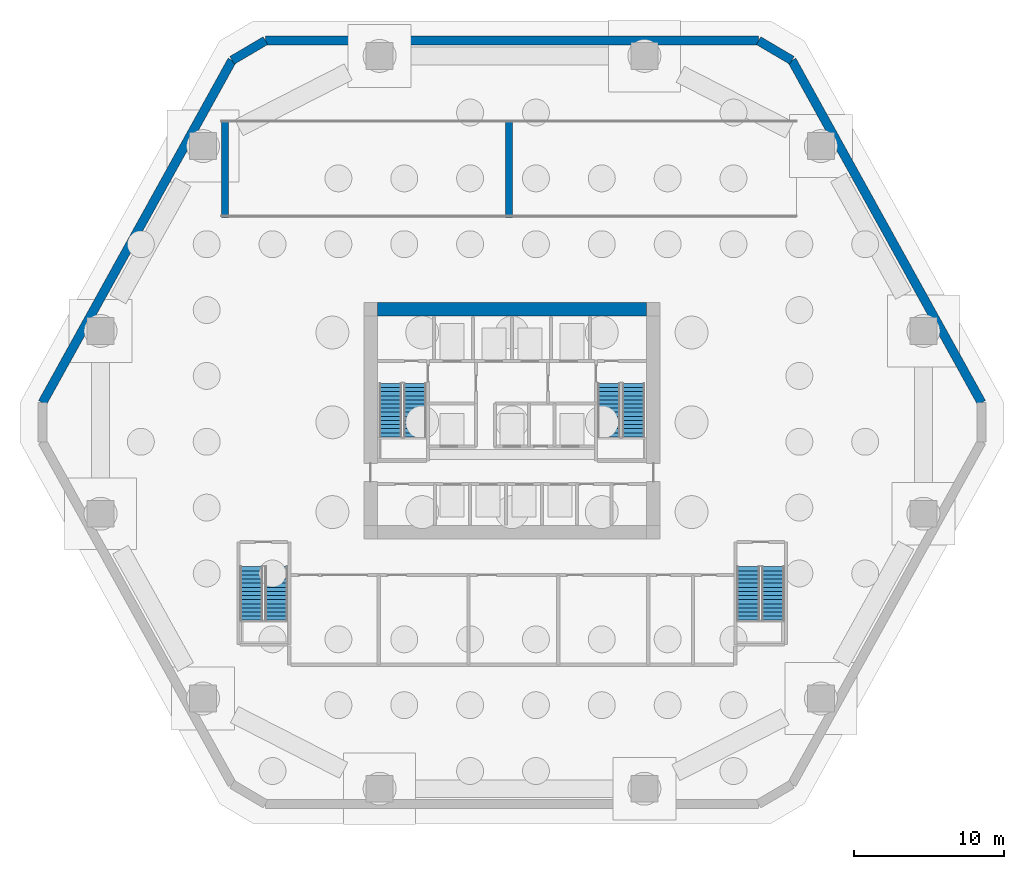
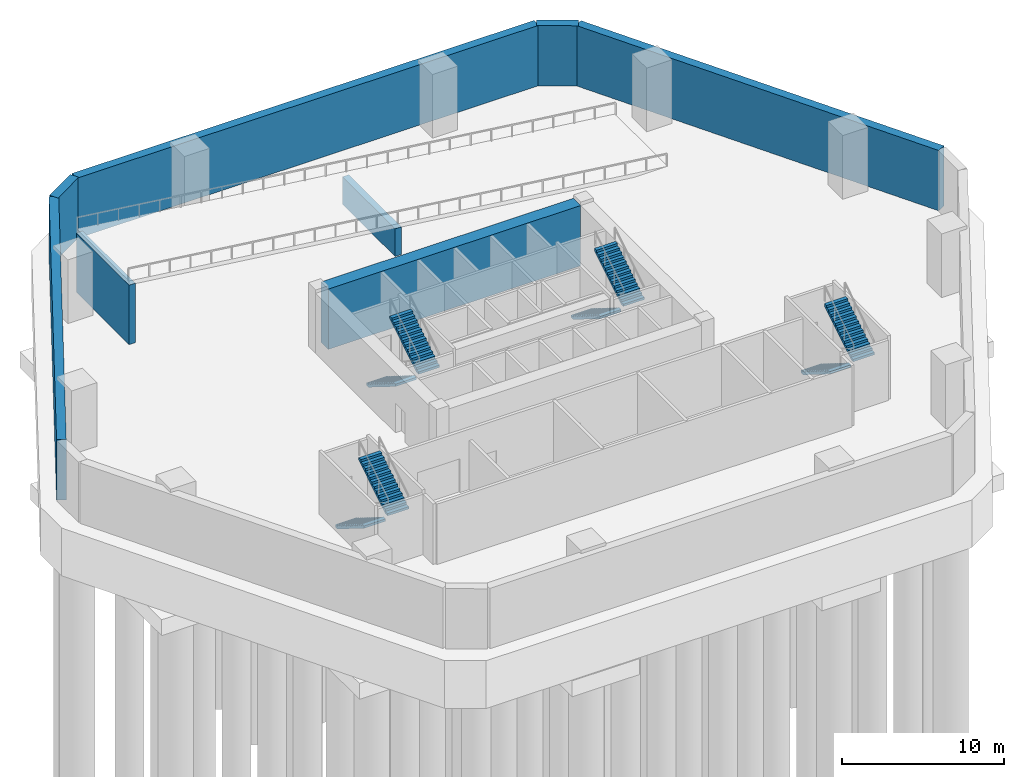
# One storey, part 5 of 9: 8 stair flights, 8 walls, 4 elements without a shape of their own.
"""IFC4 building model written with IfcOpenShell, lengths in metres."""

from ifc_helpers import new_model, si_unit, direction, frame, frame_2d, origin, place, context, subcontext, project, spatial, polyline, rectangle, outline, extrude, material, layer, layer_set, type_object, element, aggregate, save


model = new_model("IFC4")

# Units and contexts
model_context = context("Model", 3, precision=1e-05, world=origin(), true_north=direction((0.0, 1.0)))
body_context = subcontext(model_context, "Body", "Model", "MODEL_VIEW")
ifc_project = project(units=[si_unit("LENGTHUNIT", "METRE"), si_unit("AREAUNIT", "SQUARE_METRE"), si_unit("VOLUMEUNIT", "CUBIC_METRE"), si_unit("PLANEANGLEUNIT", "RADIAN"), si_unit("MASSUNIT", "GRAM", prefix="KILO")], contexts=[model_context])

# Site, building, storey
site_placement = place(None, origin())
site = spatial("IfcSite", under=ifc_project, at=site_placement, CompositionType="ELEMENT")
building_placement = place(site_placement, origin())
building = spatial("IfcBuilding", under=site, at=building_placement, Name="Cinnabar Lancet Tower", CompositionType="ELEMENT")
storey_placement = place(building_placement, frame((0.0, 0.0, -4.800048828125)))
storey = spatial("IfcBuildingStorey", under=building, at=storey_placement, Name="B1", CompositionType="ELEMENT", Elevation=-4.800048828125)

# Walls
ifc_material_1 = material(Name="Concrete C50/60", Category="concrete")
ifc_layer_1 = layer(ifc_material_1, 0.449951171875)
ifc_layer_set_1 = layer_set([ifc_layer_1], Name="Concrete C50/60")
wall_type_1 = type_object("IfcWallType", Name="STR-WL-CORE-450", PredefinedType="SHEAR", material=ifc_layer_set_1)
wall_1_placement = place(storey_placement, frame((13.22509765625, 39.5, 0.0), z_axis=(0.0, 0.0, 1.0), x_axis=(0.0, 1.0, 0.0)))
element("IfcWall", 1, at=wall_1_placement, inside=storey, type_object=wall_type_1, Name="B1 Vehicle Ramp Top Transition Support Wall", PredefinedType="SHEAR", context=body_context, shape_type="SweptSolid", body=[
    extrude(rectangle(XDim=6.5, YDim=0.449951171875, at=frame_2d((3.25, 0.0))), origin(), (0.0, 0.0, 1.0), 4.47998046875),
])
wall_2_placement = place(storey_placement, frame((32.199951171875, 39.5, 0.0), z_axis=(0.0, 0.0, 1.0), x_axis=(0.0, 1.0, 0.0)))
element("IfcWall", 2, at=wall_2_placement, inside=storey, type_object=wall_type_1, Name="B1 Vehicle Ramp Mid-Span Support Wall", PredefinedType="SHEAR", context=body_context, shape_type="SweptSolid", body=[
    extrude(rectangle(XDim=6.5, YDim=0.449951171875, at=frame_2d((3.25, 0.0))), origin(), (0.0, 0.0, 1.0), 2.080078125),
])
ifc_material_2 = material(Name="Concrete C80/95", Category="concrete")
ifc_layer_2 = layer(ifc_material_2, 0.89990234375)
ifc_layer_set_2 = layer_set([ifc_layer_2], Name="Concrete C80/95")
wall_type_2 = type_object("IfcWallType", Name="STR-WL-CORE-900", PredefinedType="SHEAR", material=ifc_layer_set_2)
wall_3_placement = place(storey_placement, frame((23.39990234375, 33.35009765625, 0.0), z_axis=(0.0, 0.0, 1.0), x_axis=(1.0, 0.0, 0.0)))
element("IfcWall", 3, at=wall_3_placement, inside=storey, type_object=wall_type_2, Name="B1 Core Shear Wall N", PredefinedType="SHEAR", context=body_context, shape_type="SweptSolid", body=[
    extrude(rectangle(XDim=18.0, YDim=0.89990234375, at=frame_2d((9.0, 0.0))), origin(), (0.0, 0.0, 1.0), 4.550048828125),
])
ifc_material_3 = material(Name="Concrete C50/60", Category="concrete")
ifc_layer_3 = layer(ifc_material_3, 0.60009765625)
ifc_layer_set_3 = layer_set([ifc_layer_3], Name="Concrete C50/60")
wall_type_3 = type_object("IfcWallType", Name="STR-WL-RET-600", PredefinedType="USERDEFINED", material=ifc_layer_set_3)
wall_4_placement = place(storey_placement, frame((63.77294921875, 27.112060546875, 0.0), z_axis=(0.0, 0.0, 1.0), x_axis=(-0.484504224603, 0.874788921021, 0.0)))
element("IfcWall", 4, at=wall_4_placement, inside=storey, type_object=wall_type_3, Name="Basement B1 Waterproof Retaining Wall 6", ObjectType="RETAININGWALL", PredefinedType="USERDEFINED", context=body_context, shape_type="SweptSolid", body=[
    extrude(rectangle(XDim=26.150390625, YDim=0.60009765625, at=frame_2d((13.0751953125, 0.0))), origin(), (0.0, 0.0, 1.0), 4.550048828125),
])
wall_5_placement = place(storey_placement, frame((51.10302734375, 49.988037109375, 0.0), z_axis=(0.0, 0.0, 1.0), x_axis=(-0.861598949961, 0.507589646689, 0.0)))
element("IfcWall", 5, at=wall_5_placement, inside=storey, type_object=wall_type_3, Name="Basement B1 Waterproof Retaining Wall 7", ObjectType="RETAININGWALL", PredefinedType="USERDEFINED", context=body_context, shape_type="SweptSolid", body=[
    extrude(rectangle(XDim=2.584716796875, YDim=0.60009765625, at=frame_2d((1.29248046875, 0.0))), origin(), (0.0, 0.0, 1.0), 4.550048828125),
])
wall_6_placement = place(storey_placement, frame((48.8759765625, 51.300048828125, 0.0), z_axis=(0.0, 0.0, 1.0), x_axis=(-1.0, 0.0, 0.0)))
element("IfcWall", 6, at=wall_6_placement, inside=storey, type_object=wall_type_3, Name="Basement B1 Waterproof Retaining Wall 8", ObjectType="RETAININGWALL", PredefinedType="USERDEFINED", context=body_context, shape_type="SweptSolid", body=[
    extrude(rectangle(XDim=32.951904296875, YDim=0.60009765625, at=frame_2d((16.47607421875, 0.0))), origin(), (0.0, 0.0, 1.0), 4.550048828125),
])
wall_7_placement = place(storey_placement, frame((15.924072265625, 51.300048828125, 0.0), z_axis=(0.0, 0.0, 1.0), x_axis=(-0.861598949961, -0.507589646689, 0.0)))
element("IfcWall", 7, at=wall_7_placement, inside=storey, type_object=wall_type_3, Name="Basement B1 Waterproof Retaining Wall 9", ObjectType="RETAININGWALL", PredefinedType="USERDEFINED", context=body_context, shape_type="SweptSolid", body=[
    extrude(rectangle(XDim=2.584716796875, YDim=0.60009765625, at=frame_2d((1.29248046875, 0.0))), origin(), (0.0, 0.0, 1.0), 4.550048828125),
])
wall_8_placement = place(storey_placement, frame((13.697021484375, 49.988037109375, 0.0), z_axis=(0.0, 0.0, 1.0), x_axis=(-0.484504224603, -0.874788921021, 0.0)))
element("IfcWall", 8, at=wall_8_placement, inside=storey, type_object=wall_type_3, Name="Basement B1 Waterproof Retaining Wall 10", ObjectType="RETAININGWALL", PredefinedType="USERDEFINED", context=body_context, shape_type="SweptSolid", body=[
    extrude(rectangle(XDim=26.150390625, YDim=0.60009765625, at=frame_2d((13.0751953125, 0.0))), origin(), (0.0, 0.0, 1.0), 4.550048828125),
])

# Stair, stair flights
ifc_material_4 = material(Name="Concrete C40/50", Category="concrete")
stair_type_1 = type_object("IfcStairType", Name="ST-CORE", PredefinedType="HALF_TURN_STAIR", material=ifc_material_4)
stair_1_placement = place(storey_placement, origin())
stair_1 = element("IfcStair", 9, at=stair_1_placement, inside=storey, type_object=stair_type_1, Name="B1 ST-1", PredefinedType="HALF_TURN_STAIR")
ifc_material_5 = material(Name="Concrete C40/50", Category="concrete")
stair_flight_type_1 = type_object("IfcStairFlightType", Name="FLIGHT-CORE", PredefinedType="STRAIGHT", material=ifc_material_5)
stair_flight_1_placement = place(storey_placement, frame((24.27490234375, 28.39990234375, 0.0), z_axis=(0.0, 0.0, 1.0), x_axis=(0.0, -1.0, 0.0)))
stair_flight_1 = element("IfcStairFlight", 10, at=stair_flight_1_placement, type_object=stair_flight_type_1, Name="ST-1 flight 1", NumberOfRisers=14, NumberOfTreads=13, PredefinedType="STRAIGHT", RiserHeight=0.171428571, TreadLength=0.275, context=body_context, shape_type="SweptSolid", body=[
    extrude(outline(polyline([(0.0, 0.0), (0.0, 0.17138671875), (0.27490234375, 0.17138671875), (0.27490234375, 0.3427734375), (0.550048828125, 0.3427734375), (0.550048828125, 0.514404296875), (0.824951171875, 0.514404296875), (0.824951171875, 0.685791015625), (1.10009765625, 0.685791015625), (1.10009765625, 0.857177734375), (1.375, 0.857177734375), (1.375, 1.028564453125), (1.64990234375, 1.028564453125), (1.64990234375, 1.199951171875), (1.925048828125, 1.199951171875), (1.925048828125, 1.371337890625), (2.199951171875, 1.371337890625), (2.199951171875, 1.54296875), (2.47509765625, 1.54296875), (2.47509765625, 1.71435546875), (2.75, 1.71435546875), (2.75, 1.8857421875), (3.02490234375, 1.8857421875), (3.02490234375, 2.05712890625), (3.300048828125, 2.05712890625), (3.300048828125, 2.228515625), (3.574951171875, 2.228515625), (3.574951171875, 2.39990234375), (3.574951171875, 2.052001953125), (0.283447265625, 0.0), (0.0, 0.0)])), frame((0.0, 0.75, 0.0), z_axis=(0.0, -1.0, 0.0), x_axis=(1.0, 0.0, 0.0)), (0.0, 0.0, 1.0), 1.5),
])
stair_flight_2_placement = place(storey_placement, frame((25.925048828125, 24.824951171875, 2.400146484375), z_axis=(0.0, 0.0, 1.0), x_axis=(0.0, 1.0, 0.0)))
stair_flight_2 = element("IfcStairFlight", 11, at=stair_flight_2_placement, type_object=stair_flight_type_1, Name="ST-1 flight 2", NumberOfRisers=14, NumberOfTreads=13, PredefinedType="STRAIGHT", RiserHeight=0.171428571, TreadLength=0.275, context=body_context, shape_type="SweptSolid", body=[
    extrude(outline(polyline([(0.0, 0.0), (0.0, 0.17138671875), (0.27490234375, 0.17138671875), (0.27490234375, 0.3427734375), (0.550048828125, 0.3427734375), (0.550048828125, 0.514404296875), (0.824951171875, 0.514404296875), (0.824951171875, 0.685791015625), (1.10009765625, 0.685791015625), (1.10009765625, 0.857177734375), (1.375, 0.857177734375), (1.375, 1.028564453125), (1.64990234375, 1.028564453125), (1.64990234375, 1.199951171875), (1.925048828125, 1.199951171875), (1.925048828125, 1.371337890625), (2.199951171875, 1.371337890625), (2.199951171875, 1.54296875), (2.47509765625, 1.54296875), (2.47509765625, 1.71435546875), (2.75, 1.71435546875), (2.75, 1.8857421875), (3.02490234375, 1.8857421875), (3.02490234375, 2.05712890625), (3.300048828125, 2.05712890625), (3.300048828125, 2.228515625), (3.574951171875, 2.228515625), (3.574951171875, 2.39990234375), (3.574951171875, 2.052001953125), (0.283447265625, 0.0), (0.0, 0.0)])), frame((0.0, 0.75, 0.0), z_axis=(0.0, -1.0, 0.0), x_axis=(1.0, 0.0, 0.0)), (0.0, 0.0, 1.0), 1.5),
])
aggregate(stair_1, [stair_flight_1, stair_flight_2])

stair_2_placement = place(storey_placement, origin())
stair_2 = element("IfcStair", 12, at=stair_2_placement, inside=storey, type_object=stair_type_1, Name="B1 ST-2", PredefinedType="HALF_TURN_STAIR")
stair_flight_3_placement = place(storey_placement, frame((38.875, 28.39990234375, 0.0), z_axis=(0.0, 0.0, 1.0), x_axis=(0.0, -1.0, 0.0)))
stair_flight_3 = element("IfcStairFlight", 13, at=stair_flight_3_placement, type_object=stair_flight_type_1, Name="ST-2 flight 1", NumberOfRisers=14, NumberOfTreads=13, PredefinedType="STRAIGHT", RiserHeight=0.171428571, TreadLength=0.275, context=body_context, shape_type="SweptSolid", body=[
    extrude(outline(polyline([(0.0, 0.0), (0.0, 0.17138671875), (0.27490234375, 0.17138671875), (0.27490234375, 0.3427734375), (0.550048828125, 0.3427734375), (0.550048828125, 0.514404296875), (0.824951171875, 0.514404296875), (0.824951171875, 0.685791015625), (1.10009765625, 0.685791015625), (1.10009765625, 0.857177734375), (1.375, 0.857177734375), (1.375, 1.028564453125), (1.64990234375, 1.028564453125), (1.64990234375, 1.199951171875), (1.925048828125, 1.199951171875), (1.925048828125, 1.371337890625), (2.199951171875, 1.371337890625), (2.199951171875, 1.54296875), (2.47509765625, 1.54296875), (2.47509765625, 1.71435546875), (2.75, 1.71435546875), (2.75, 1.8857421875), (3.02490234375, 1.8857421875), (3.02490234375, 2.05712890625), (3.300048828125, 2.05712890625), (3.300048828125, 2.228515625), (3.574951171875, 2.228515625), (3.574951171875, 2.39990234375), (3.574951171875, 2.052001953125), (0.283447265625, 0.0), (0.0, 0.0)])), frame((0.0, 0.75, 0.0), z_axis=(0.0, -1.0, 0.0), x_axis=(1.0, 0.0, 0.0)), (0.0, 0.0, 1.0), 1.5),
])
stair_flight_4_placement = place(storey_placement, frame((40.52490234375, 24.824951171875, 2.400146484375), z_axis=(0.0, 0.0, 1.0), x_axis=(0.0, 1.0, 0.0)))
stair_flight_4 = element("IfcStairFlight", 14, at=stair_flight_4_placement, type_object=stair_flight_type_1, Name="ST-2 flight 2", NumberOfRisers=14, NumberOfTreads=13, PredefinedType="STRAIGHT", RiserHeight=0.171428571, TreadLength=0.275, context=body_context, shape_type="SweptSolid", body=[
    extrude(outline(polyline([(0.0, 0.0), (0.0, 0.17138671875), (0.27490234375, 0.17138671875), (0.27490234375, 0.3427734375), (0.550048828125, 0.3427734375), (0.550048828125, 0.514404296875), (0.824951171875, 0.514404296875), (0.824951171875, 0.685791015625), (1.10009765625, 0.685791015625), (1.10009765625, 0.857177734375), (1.375, 0.857177734375), (1.375, 1.028564453125), (1.64990234375, 1.028564453125), (1.64990234375, 1.199951171875), (1.925048828125, 1.199951171875), (1.925048828125, 1.371337890625), (2.199951171875, 1.371337890625), (2.199951171875, 1.54296875), (2.47509765625, 1.54296875), (2.47509765625, 1.71435546875), (2.75, 1.71435546875), (2.75, 1.8857421875), (3.02490234375, 1.8857421875), (3.02490234375, 2.05712890625), (3.300048828125, 2.05712890625), (3.300048828125, 2.228515625), (3.574951171875, 2.228515625), (3.574951171875, 2.39990234375), (3.574951171875, 2.052001953125), (0.283447265625, 0.0), (0.0, 0.0)])), frame((0.0, 0.75, 0.0), z_axis=(0.0, -1.0, 0.0), x_axis=(1.0, 0.0, 0.0)), (0.0, 0.0, 1.0), 1.5),
])
aggregate(stair_2, [stair_flight_3, stair_flight_4])

ifc_material_6 = material(Name="Concrete C40/50", Category="concrete")
stair_type_2 = type_object("IfcStairType", Name="ST-POD", PredefinedType="HALF_TURN_STAIR", material=ifc_material_6)
stair_3_placement = place(storey_placement, origin())
stair_3 = element("IfcStair", 15, at=stair_3_placement, inside=storey, type_object=stair_type_2, Name="B1 ST-3", PredefinedType="HALF_TURN_STAIR")
ifc_material_7 = material(Name="Concrete C40/50", Category="concrete")
stair_flight_type_2 = type_object("IfcStairFlightType", Name="FLIGHT-POD", PredefinedType="STRAIGHT", material=ifc_material_7)
stair_flight_5_placement = place(storey_placement, frame((14.985107421875, 16.14990234375, 0.0), z_axis=(0.0, 0.0, 1.0), x_axis=(0.0, -1.0, 0.0)))
stair_flight_5 = element("IfcStairFlight", 16, at=stair_flight_5_placement, type_object=stair_flight_type_2, Name="ST-3 flight 1", NumberOfRisers=14, NumberOfTreads=13, PredefinedType="STRAIGHT", RiserHeight=0.171428571, TreadLength=0.275, context=body_context, shape_type="SweptSolid", body=[
    extrude(outline(polyline([(0.0, 0.0), (0.0, 0.17138671875), (0.27490234375, 0.17138671875), (0.27490234375, 0.3427734375), (0.550048828125, 0.3427734375), (0.550048828125, 0.514404296875), (0.824951171875, 0.514404296875), (0.824951171875, 0.685791015625), (1.10009765625, 0.685791015625), (1.10009765625, 0.857177734375), (1.375, 0.857177734375), (1.375, 1.028564453125), (1.64990234375, 1.028564453125), (1.64990234375, 1.199951171875), (1.925048828125, 1.199951171875), (1.925048828125, 1.371337890625), (2.199951171875, 1.371337890625), (2.199951171875, 1.54296875), (2.47509765625, 1.54296875), (2.47509765625, 1.71435546875), (2.75, 1.71435546875), (2.75, 1.8857421875), (3.02490234375, 1.8857421875), (3.02490234375, 2.05712890625), (3.300048828125, 2.05712890625), (3.300048828125, 2.228515625), (3.574951171875, 2.228515625), (3.574951171875, 2.39990234375), (3.574951171875, 2.052001953125), (0.283447265625, 0.0), (0.0, 0.0)])), frame((0.0, 0.760009765625, 0.0), z_axis=(0.0, -1.0, 0.0), x_axis=(1.0, 0.0, 0.0)), (0.0, 0.0, 1.0), 1.52001953125),
])
stair_flight_6_placement = place(storey_placement, frame((16.655029296875, 12.574951171875, 2.400146484375), z_axis=(0.0, 0.0, 1.0), x_axis=(0.0, 1.0, 0.0)))
stair_flight_6 = element("IfcStairFlight", 17, at=stair_flight_6_placement, type_object=stair_flight_type_2, Name="ST-3 flight 2", NumberOfRisers=14, NumberOfTreads=13, PredefinedType="STRAIGHT", RiserHeight=0.171428571, TreadLength=0.275, context=body_context, shape_type="SweptSolid", body=[
    extrude(outline(polyline([(0.0, 0.0), (0.0, 0.17138671875), (0.27490234375, 0.17138671875), (0.27490234375, 0.3427734375), (0.550048828125, 0.3427734375), (0.550048828125, 0.514404296875), (0.824951171875, 0.514404296875), (0.824951171875, 0.685791015625), (1.10009765625, 0.685791015625), (1.10009765625, 0.857177734375), (1.375, 0.857177734375), (1.375, 1.028564453125), (1.64990234375, 1.028564453125), (1.64990234375, 1.199951171875), (1.925048828125, 1.199951171875), (1.925048828125, 1.371337890625), (2.199951171875, 1.371337890625), (2.199951171875, 1.54296875), (2.47509765625, 1.54296875), (2.47509765625, 1.71435546875), (2.75, 1.71435546875), (2.75, 1.8857421875), (3.02490234375, 1.8857421875), (3.02490234375, 2.05712890625), (3.300048828125, 2.05712890625), (3.300048828125, 2.228515625), (3.574951171875, 2.228515625), (3.574951171875, 2.39990234375), (3.574951171875, 2.052001953125), (0.283447265625, 0.0), (0.0, 0.0)])), frame((0.0, 0.760009765625, 0.0), z_axis=(0.0, -1.0, 0.0), x_axis=(1.0, 0.0, 0.0)), (0.0, 0.0, 1.0), 1.52001953125),
])
aggregate(stair_3, [stair_flight_5, stair_flight_6])

stair_4_placement = place(storey_placement, origin())
stair_4 = element("IfcStair", 18, at=stair_4_placement, inside=storey, type_object=stair_type_2, Name="B1 ST-4", PredefinedType="HALF_TURN_STAIR")
stair_flight_7_placement = place(storey_placement, frame((48.18505859375, 16.14990234375, 0.0), z_axis=(0.0, 0.0, 1.0), x_axis=(0.0, -1.0, 0.0)))
stair_flight_7 = element("IfcStairFlight", 19, at=stair_flight_7_placement, type_object=stair_flight_type_2, Name="ST-4 flight 1", NumberOfRisers=14, NumberOfTreads=13, PredefinedType="STRAIGHT", RiserHeight=0.171428571, TreadLength=0.275, context=body_context, shape_type="SweptSolid", body=[
    extrude(outline(polyline([(0.0, 0.0), (0.0, 0.17138671875), (0.27490234375, 0.17138671875), (0.27490234375, 0.3427734375), (0.550048828125, 0.3427734375), (0.550048828125, 0.514404296875), (0.824951171875, 0.514404296875), (0.824951171875, 0.685791015625), (1.10009765625, 0.685791015625), (1.10009765625, 0.857177734375), (1.375, 0.857177734375), (1.375, 1.028564453125), (1.64990234375, 1.028564453125), (1.64990234375, 1.199951171875), (1.925048828125, 1.199951171875), (1.925048828125, 1.371337890625), (2.199951171875, 1.371337890625), (2.199951171875, 1.54296875), (2.47509765625, 1.54296875), (2.47509765625, 1.71435546875), (2.75, 1.71435546875), (2.75, 1.8857421875), (3.02490234375, 1.8857421875), (3.02490234375, 2.05712890625), (3.300048828125, 2.05712890625), (3.300048828125, 2.228515625), (3.574951171875, 2.228515625), (3.574951171875, 2.39990234375), (3.574951171875, 2.052001953125), (0.283447265625, 0.0), (0.0, 0.0)])), frame((0.0, 0.760009765625, 0.0), z_axis=(0.0, -1.0, 0.0), x_axis=(1.0, 0.0, 0.0)), (0.0, 0.0, 1.0), 1.52001953125),
])
stair_flight_8_placement = place(storey_placement, frame((49.85498046875, 12.574951171875, 2.400146484375), z_axis=(0.0, 0.0, 1.0), x_axis=(0.0, 1.0, 0.0)))
stair_flight_8 = element("IfcStairFlight", 20, at=stair_flight_8_placement, type_object=stair_flight_type_2, Name="ST-4 flight 2", NumberOfRisers=14, NumberOfTreads=13, PredefinedType="STRAIGHT", RiserHeight=0.171428571, TreadLength=0.275, context=body_context, shape_type="SweptSolid", body=[
    extrude(outline(polyline([(0.0, 0.0), (0.0, 0.17138671875), (0.27490234375, 0.17138671875), (0.27490234375, 0.3427734375), (0.550048828125, 0.3427734375), (0.550048828125, 0.514404296875), (0.824951171875, 0.514404296875), (0.824951171875, 0.685791015625), (1.10009765625, 0.685791015625), (1.10009765625, 0.857177734375), (1.375, 0.857177734375), (1.375, 1.028564453125), (1.64990234375, 1.028564453125), (1.64990234375, 1.199951171875), (1.925048828125, 1.199951171875), (1.925048828125, 1.371337890625), (2.199951171875, 1.371337890625), (2.199951171875, 1.54296875), (2.47509765625, 1.54296875), (2.47509765625, 1.71435546875), (2.75, 1.71435546875), (2.75, 1.8857421875), (3.02490234375, 1.8857421875), (3.02490234375, 2.05712890625), (3.300048828125, 2.05712890625), (3.300048828125, 2.228515625), (3.574951171875, 2.228515625), (3.574951171875, 2.39990234375), (3.574951171875, 2.052001953125), (0.283447265625, 0.0), (0.0, 0.0)])), frame((0.0, 0.760009765625, 0.0), z_axis=(0.0, -1.0, 0.0), x_axis=(1.0, 0.0, 0.0)), (0.0, 0.0, 1.0), 1.52001953125),
])
aggregate(stair_4, [stair_flight_7, stair_flight_8])

save(model, "model.ifc")
